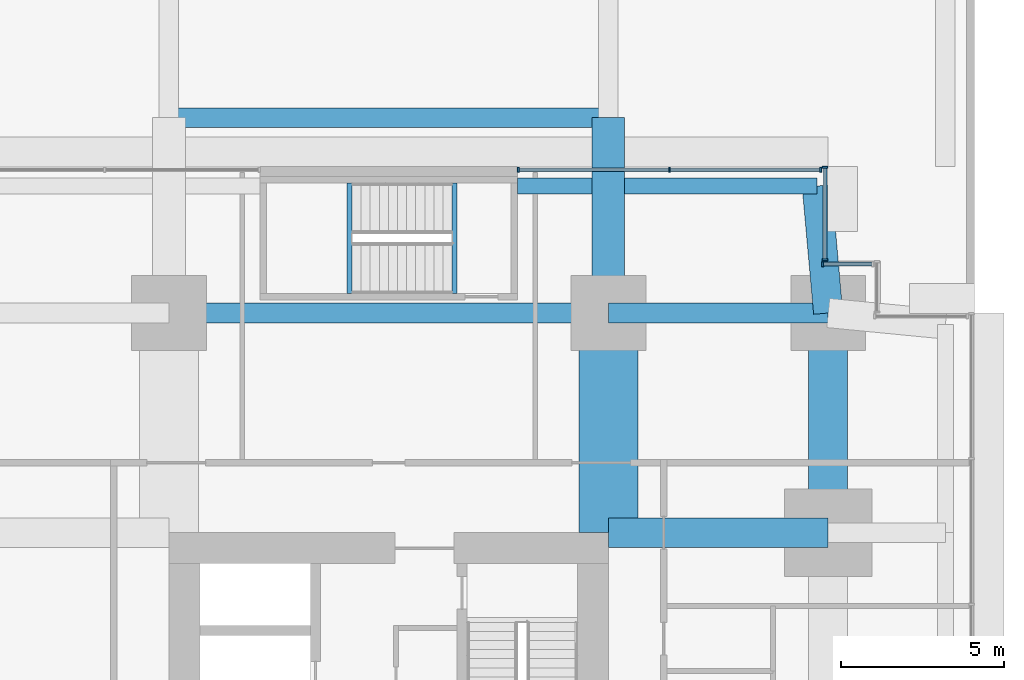
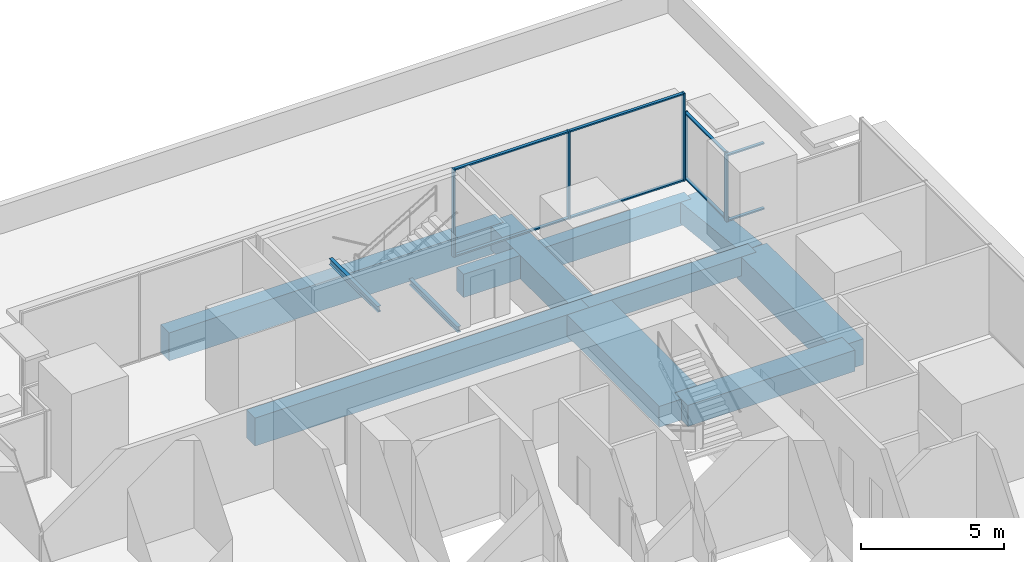
# One storey, part 18 of 34: 14 members, 12 beams, 3 elements without a shape of their own.
"""IFC4 building model written with IfcOpenShell, lengths in metres."""

import ifcopenshell
import ifcopenshell.guid

model = None  # the IFC model being written
_history = None  # IfcOwnerHistory: only IFC2X3 demands one
_inside = {}  # id of a spatial element -> (the spatial element, [elements in it])
_under = {}  # id of a project, library or spatial element -> (it, [spatial elements below it])
_declared = {}  # id of a project -> (the project, [libraries it declares])
_typed = {}  # id of a type object -> (the type object, [elements of that type])
_made_of = {}  # id of a material, layer set ... -> (it, [elements and type objects made of it])


def new_model(schema):
    """Start an empty IFC model of exactly this schema.

    Asked for "IFC4X3", IfcOpenShell would pick the latest addendum, in which some entities
    have other attributes; the version numbers below select the first issue.
    IFC2X3 requires an IfcOwnerHistory on every rooted entity: one is made here for all.
    """
    global model, _history
    if schema == "IFC4X3":
        model = ifcopenshell.file(schema_version=(4, 3, 0, 0))
    else:
        model = ifcopenshell.file(schema=schema)
    _inside.clear()
    _under.clear()
    _declared.clear()
    _typed.clear()
    _made_of.clear()
    _history = None
    if model.schema == "IFC2X3":
        org = make("IfcOrganization", Name="unknown")
        user = make(
            "IfcPersonAndOrganization",
            ThePerson=make("IfcPerson", FamilyName="unknown"),
            TheOrganization=org,
        )
        app = make(
            "IfcApplication",
            ApplicationDeveloper=org,
            Version="unknown",
            ApplicationFullName="unknown",
            ApplicationIdentifier="unknown",
        )
        _history = make(
            "IfcOwnerHistory",
            OwningUser=user,
            OwningApplication=app,
            ChangeAction="ADDED",
            CreationDate=0,
        )
    return model


def make(cls, **values):
    """One entity of the class cls with the attributes given. An attribute that is None is left unset."""
    return model.create_entity(
        cls, **{name: value for name, value in values.items() if value is not None}
    )


def rooted(cls, **values):
    """An entity with a GlobalId (a new one), such as an element, a storey or a relation."""
    return make(cls, GlobalId=ifcopenshell.guid.new(), OwnerHistory=_history, **values)


def si_unit(unit_type, name, prefix=None):
    """IfcSIUnit, for example si_unit("LENGTHUNIT", "METRE", prefix="MILLI")."""
    return make("IfcSIUnit", UnitType=unit_type, Prefix=prefix, Name=name)


def assignment(units):
    """IfcUnitAssignment: the units of a project."""
    return None if units is None else make("IfcUnitAssignment", Units=units)


def point(xyz):
    """IfcCartesianPoint."""
    return None if xyz is None else make("IfcCartesianPoint", Coordinates=xyz)


def direction(xyz):
    """IfcDirection."""
    return None if xyz is None else make("IfcDirection", DirectionRatios=xyz)


def frame(location, z_axis=None, x_axis=None):
    """IfcAxis2Placement3D, a coordinate frame: its origin and axes. An axis left out is left unset."""
    return make(
        "IfcAxis2Placement3D",
        Location=point(location),
        Axis=direction(z_axis),
        RefDirection=direction(x_axis),
    )


def frame_2d(location, x_axis=None):
    """IfcAxis2Placement2D, a coordinate frame in the plane: its origin and x axis."""
    return make(
        "IfcAxis2Placement2D", Location=point(location), RefDirection=direction(x_axis)
    )


def origin():
    """The frame at (0, 0, 0) with its axes left unset."""
    return frame((0.0, 0.0, 0.0))


def origin_2d():
    """The frame at (0, 0) in the plane with its x axis left unset."""
    return frame_2d((0.0, 0.0))


def place(relative_to, where):
    """IfcLocalPlacement: puts the frame where relative to a parent placement (None: the world)."""
    return make(
        "IfcLocalPlacement", PlacementRelTo=relative_to, RelativePlacement=where
    )


def context(
    kind, dimensions, precision=None, world=None, true_north=None, identifier=None
):
    """IfcGeometricRepresentationContext, for example the 3D "Model" context."""
    return make(
        "IfcGeometricRepresentationContext",
        ContextIdentifier=identifier,
        ContextType=kind,
        CoordinateSpaceDimension=dimensions,
        Precision=precision,
        WorldCoordinateSystem=world,
        TrueNorth=true_north,
    )


def subcontext(parent, identifier, kind, view, scale=None):
    """IfcGeometricRepresentationSubContext, for example "Body" below "Model"."""
    return make(
        "IfcGeometricRepresentationSubContext",
        ContextIdentifier=identifier,
        ContextType=kind,
        ParentContext=parent,
        TargetScale=scale,
        TargetView=view,
    )


def project(units=None, contexts=None):
    """IfcProject with its units and contexts."""
    return rooted(
        "IfcProject",
        Name="project",
        RepresentationContexts=contexts,
        UnitsInContext=assignment(units),
    )


def spatial(cls, under=None, at=None, **own):
    """A site, building, storey or space (cls), placed at a placement, below another one or the project."""
    s = rooted(cls, ObjectPlacement=at, **own)
    if under is not None:
        _under.setdefault(under.id(), (under, []))[1].append(s)
    return s


def profile(cls, at=None, kind="AREA", **sizes):
    """A parametric profile (cls). Its sizes go by their IFC names, for example OverallWidth=200.0."""
    return make(cls, ProfileType=kind, Position=at, **sizes)


def rectangle(**sizes):
    """IfcRectangleProfileDef."""
    return profile("IfcRectangleProfileDef", **sizes)


def i_section(**sizes):
    """IfcIShapeProfileDef."""
    return profile("IfcIShapeProfileDef", **sizes)


def extrude(swept, where, along, depth):
    """IfcExtrudedAreaSolid: the profile swept, set in the frame where, extruded along a direction by depth."""
    return make(
        "IfcExtrudedAreaSolid",
        SweptArea=swept,
        Position=where,
        ExtrudedDirection=direction(along),
        Depth=depth,
    )


def shape(context_of_items, identifier, shape_type, items):
    """IfcShapeRepresentation: the items that make up one representation, for example the "Body"."""
    return make(
        "IfcShapeRepresentation",
        ContextOfItems=context_of_items,
        RepresentationIdentifier=identifier,
        RepresentationType=shape_type,
        Items=items,
    )


def material(Name=None, Category=None):
    """IfcMaterial."""
    return make("IfcMaterial", Name=Name, Category=Category)


def layer(
    of_material, thickness, ventilated=None, Name=None, Category=None, Priority=None
):
    """IfcMaterialLayer: one layer of a wall or slab, of a material (None: an air gap)."""
    return make(
        "IfcMaterialLayer",
        Material=of_material,
        LayerThickness=thickness,
        IsVentilated=ventilated,
        Name=Name,
        Category=Category,
        Priority=Priority,
    )


def layer_set(layers, Name=None):
    """IfcMaterialLayerSet."""
    return make("IfcMaterialLayerSet", MaterialLayers=layers, LayerSetName=Name)


def material_profile(
    of_material, cross_section, Name=None, Category=None, Priority=None
):
    """IfcMaterialProfile: a cross section and its material."""
    return make(
        "IfcMaterialProfile",
        Name=Name,
        Material=of_material,
        Profile=cross_section,
        Priority=Priority,
        Category=Category,
    )


def profile_set(profiles, Name=None, composite=None):
    """IfcMaterialProfileSet."""
    return make(
        "IfcMaterialProfileSet",
        Name=Name,
        MaterialProfiles=profiles,
        CompositeProfile=composite,
    )


def made_of(thing, what):
    """Note that an element or type object is made of a material, layer set ...; save() writes the relation."""
    if what is not None:
        _made_of.setdefault(what.id(), (what, []))[1].append(thing)
    return thing


def type_object(cls, material=None, **own):
    """A type object (cls), such as IfcWallType, which elements share."""
    return made_of(rooted(cls, **own), material)


def element(
    cls,
    number,
    at=None,
    inside=None,
    cuts=None,
    type_object=None,
    material=None,
    context=None,
    identifier="Body",
    shape_type=None,
    held_by="IfcProductDefinitionShape",
    body=None,
    shapes=None,
    **own,
):
    """One element of the class cls, such as IfcWall. Its Tag is "e" and its number.

    at: its placement. inside: the storey or other place that contains it. cuts: it is an
    opening in that element (IfcRelVoidsElement). A single representation is given by context,
    identifier, shape_type and body (its items); several are given by shapes. held_by: the class
    of the entity that holds the representations. save() writes the other relations.
    """
    e = rooted(cls, Tag="e%d" % number, ObjectPlacement=at, **own)
    if body is not None:
        shapes = [shape(context, identifier, shape_type, body)]
    if shapes is not None:
        e.Representation = make(held_by, Representations=shapes)
    if inside is not None:
        _inside.setdefault(inside.id(), (inside, []))[1].append(e)
    if cuts is not None:
        rooted(
            "IfcRelVoidsElement", RelatingBuildingElement=cuts, RelatedOpeningElement=e
        )
    if type_object is not None:
        _typed.setdefault(type_object.id(), (type_object, []))[1].append(e)
    return made_of(e, material)


def aggregate(whole, parts):
    """IfcRelAggregates: a whole, such as a stair, and the parts it consists of."""
    return rooted("IfcRelAggregates", RelatingObject=whole, RelatedObjects=parts)


def save(model, path):
    """Write the relations noted so far, then the file.

    IfcRelAggregates (storeys below a building ...), IfcRelContainedInSpatialStructure (elements
    in a storey), IfcRelDefinesByType, IfcRelAssociatesMaterial and IfcRelDeclares: one each for
    every whole, place, type object, material and project.
    """
    for whole, parts in _under.values():
        aggregate(whole, parts)
    for where, things in _inside.values():
        rooted(
            "IfcRelContainedInSpatialStructure",
            RelatedElements=things,
            RelatingStructure=where,
        )
    for kind, things in _typed.values():
        rooted("IfcRelDefinesByType", RelatedObjects=things, RelatingType=kind)
    for what, things in _made_of.values():
        rooted("IfcRelAssociatesMaterial", RelatedObjects=things, RelatingMaterial=what)
    for by, libraries in _declared.values():
        rooted("IfcRelDeclares", RelatingContext=by, RelatedDefinitions=libraries)
    model.write(path)


model = new_model("IFC4")

# Units and contexts
model_context = context("Model", 3, precision=1e-05, world=origin(), true_north=direction((0.0, 1.0)))
body_context = subcontext(model_context, "Body", "Model", "MODEL_VIEW")
ifc_project = project(units=[si_unit("LENGTHUNIT", "METRE"), si_unit("AREAUNIT", "SQUARE_METRE"), si_unit("VOLUMEUNIT", "CUBIC_METRE"), si_unit("PLANEANGLEUNIT", "RADIAN"), si_unit("MASSUNIT", "GRAM", prefix="KILO")], contexts=[model_context])

# Site, building, storey
site_placement = place(None, origin())
site = spatial("IfcSite", under=ifc_project, at=site_placement, CompositionType="ELEMENT")
building_placement = place(site_placement, origin())
building = spatial("IfcBuilding", under=site, at=building_placement, Name="Namib Vertical Campus", CompositionType="ELEMENT")
storey_placement = place(building_placement, frame((0.0, 0.0, 21.0)))
storey = spatial("IfcBuildingStorey", under=building, at=storey_placement, Name="L04", CompositionType="ELEMENT", Elevation=21.0)

# Curtain wall, member
ifc_material_1 = material(Name="Black aluminium curtain wall", Category="aluminium")
ifc_layer = layer(ifc_material_1, 0.199951171875)
ifc_layer_set = layer_set([ifc_layer], Name="Lounge curtain wall CW-L4")
curtain_wall_type = type_object("IfcCurtainWallType", Name="Lounge curtain wall CW-L4", PredefinedType="USERDEFINED", material=ifc_layer_set)
curtain_wall_1_placement = place(storey_placement, origin())
curtain_wall_1 = element("IfcCurtainWall", 1, at=curtain_wall_1_placement, inside=storey, type_object=curtain_wall_type, Name="Curtain wall CW-L4 L04 F09-1", ObjectType="CURTAIN WALL", PredefinedType="USERDEFINED")
ifc_material_2 = material(Name="Black anodised aluminium", Category="aluminium")
ifc_material_profile_1 = material_profile(ifc_material_2, rectangle(XDim=0.06005859375, YDim=0.159912109375, at=origin_2d()))
ifc_profile_set_1 = profile_set([ifc_material_profile_1], Name="Black anodised aluminium")
member_type_1 = type_object("IfcMemberType", Name="Curtain wall mullion 60x160", PredefinedType="MULLION", material=ifc_profile_set_1)
member_1_placement = place(storey_placement, frame((94.330078125, 37.5, 0.0), z_axis=(0.0, 0.0, 1.0), x_axis=(-1.0, 0.0, 0.0)))
member_1 = element("IfcMember", 2, at=member_1_placement, type_object=member_type_1, Name="CW-L4 mullion 2", PredefinedType="MULLION", context=body_context, shape_type="SweptSolid", body=[
    extrude(rectangle(XDim=0.06005859375, YDim=0.159912109375, at=origin_2d()), origin(), (0.0, 0.0, 1.0), 2.85009765625),
])

# Curtain wall, members
curtain_wall_2_placement = place(storey_placement, origin())
curtain_wall_2 = element("IfcCurtainWall", 3, at=curtain_wall_2_placement, inside=storey, type_object=curtain_wall_type, Name="Curtain wall CW-L4 L04 F10-1", ObjectType="CURTAIN WALL", PredefinedType="USERDEFINED")
member_2_placement = place(storey_placement, frame((94.39990234375, 37.6298828125, 0.0), z_axis=(0.0, 0.0, 1.0), x_axis=(0.0, 1.0, 0.0)))
member_2 = element("IfcMember", 4, at=member_2_placement, type_object=member_type_1, Name="CW-L4 mullion 1", PredefinedType="MULLION", context=body_context, shape_type="SweptSolid", body=[
    extrude(rectangle(XDim=0.06005859375, YDim=0.159912109375, at=origin_2d()), origin(), (0.0, 0.0, 1.0), 2.85009765625),
])
member_3_placement = place(storey_placement, frame((94.39990234375, 40.469970703125, 0.0), z_axis=(0.0, 0.0, 1.0), x_axis=(0.0, 1.0, 0.0)))
member_3 = element("IfcMember", 5, at=member_3_placement, type_object=member_type_1, Name="CW-L4 mullion 2", PredefinedType="MULLION", context=body_context, shape_type="SweptSolid", body=[
    extrude(rectangle(XDim=0.06005859375, YDim=0.159912109375, at=origin_2d()), origin(), (0.0, 0.0, 1.0), 2.85009765625),
])

curtain_wall_3_placement = place(storey_placement, origin())
curtain_wall_3 = element("IfcCurtainWall", 6, at=curtain_wall_3_placement, inside=storey, type_object=curtain_wall_type, Name="Curtain wall CW-L4 L04 F11-1", ObjectType="CURTAIN WALL", PredefinedType="USERDEFINED")
member_4_placement = place(storey_placement, frame((94.27001953125, 40.39990234375, 0.0), z_axis=(0.0, 0.0, 1.0), x_axis=(-1.0, 0.0, 0.0)))
member_4 = element("IfcMember", 7, at=member_4_placement, type_object=member_type_1, Name="CW-L4 mullion 1", PredefinedType="MULLION", context=body_context, shape_type="SweptSolid", body=[
    extrude(rectangle(XDim=0.06005859375, YDim=0.159912109375, at=origin_2d()), origin(), (0.0, 0.0, 1.0), 3.75),
])
member_5_placement = place(storey_placement, frame((89.625, 40.39990234375, 0.0), z_axis=(0.0, 0.0, 1.0), x_axis=(-1.0, 0.0, 0.0)))
member_5 = element("IfcMember", 8, at=member_5_placement, type_object=member_type_1, Name="CW-L4 mullion 2", PredefinedType="MULLION", context=body_context, shape_type="SweptSolid", body=[
    extrude(rectangle(XDim=0.06005859375, YDim=0.159912109375, at=origin_2d()), origin(), (0.0, 0.0, 1.0), 3.75),
])
member_6_placement = place(storey_placement, frame((84.97998046875, 40.39990234375, 0.0), z_axis=(0.0, 0.0, 1.0), x_axis=(-1.0, 0.0, 0.0)))
member_6 = element("IfcMember", 9, at=member_6_placement, type_object=member_type_1, Name="CW-L4 mullion 3", PredefinedType="MULLION", context=body_context, shape_type="SweptSolid", body=[
    extrude(rectangle(XDim=0.06005859375, YDim=0.159912109375, at=origin_2d()), origin(), (0.0, 0.0, 1.0), 3.75),
])

# Member
ifc_material_3 = material(Name="Black anodised aluminium", Category="aluminium")
ifc_material_profile_2 = material_profile(ifc_material_3, rectangle(XDim=0.06005859375, YDim=0.1201171875, at=origin_2d()))
ifc_profile_set_2 = profile_set([ifc_material_profile_2], Name="Black anodised aluminium")
member_type_2 = type_object("IfcMemberType", Name="Curtain wall transom 60x120", PredefinedType="USERDEFINED", material=ifc_profile_set_2)
member_7_placement = place(storey_placement, frame((95.840087890625, 37.5, 0.030029296875), z_axis=(-1.0, 0.0, 0.0), x_axis=(0.0, 0.0, 1.0)))
member_7 = element("IfcMember", 10, at=member_7_placement, type_object=member_type_2, Name="CW-L4 transom 1.1", ObjectType="TRANSOM", PredefinedType="USERDEFINED", context=body_context, shape_type="SweptSolid", body=[
    extrude(rectangle(XDim=0.06005859375, YDim=0.1201171875, at=origin_2d()), origin(), (0.0, 0.0, 1.0), 1.47998046875),
])

member_8_placement = place(storey_placement, frame((95.840087890625, 37.5, 2.820068359375), z_axis=(-1.0, 0.0, 0.0), x_axis=(0.0, 0.0, 1.0)))
member_8 = element("IfcMember", 11, at=member_8_placement, type_object=member_type_2, Name="CW-L4 transom 1.2", ObjectType="TRANSOM", PredefinedType="USERDEFINED", context=body_context, shape_type="SweptSolid", body=[
    extrude(rectangle(XDim=0.06005859375, YDim=0.1201171875, at=origin_2d()), origin(), (0.0, 0.0, 1.0), 1.47998046875),
])

aggregate(curtain_wall_1, [member_1, member_7, member_8])

member_9_placement = place(storey_placement, frame((94.39990234375, 37.659912109375, 0.030029296875), z_axis=(0.0, 1.0, 0.0), x_axis=(0.0, 0.0, 1.0)))
member_9 = element("IfcMember", 12, at=member_9_placement, type_object=member_type_2, Name="CW-L4 transom 1.1", ObjectType="TRANSOM", PredefinedType="USERDEFINED", context=body_context, shape_type="SweptSolid", body=[
    extrude(rectangle(XDim=0.06005859375, YDim=0.1201171875, at=origin_2d()), origin(), (0.0, 0.0, 1.0), 2.780029296875),
])

member_10_placement = place(storey_placement, frame((94.39990234375, 37.659912109375, 2.820068359375), z_axis=(0.0, 1.0, 0.0), x_axis=(0.0, 0.0, 1.0)))
member_10 = element("IfcMember", 13, at=member_10_placement, type_object=member_type_2, Name="CW-L4 transom 1.2", ObjectType="TRANSOM", PredefinedType="USERDEFINED", context=body_context, shape_type="SweptSolid", body=[
    extrude(rectangle(XDim=0.06005859375, YDim=0.1201171875, at=origin_2d()), origin(), (0.0, 0.0, 1.0), 2.780029296875),
])

aggregate(curtain_wall_2, [member_2, member_3, member_9, member_10])

member_11_placement = place(storey_placement, frame((94.239990234375, 40.39990234375, 0.030029296875), z_axis=(-1.0, 0.0, 0.0), x_axis=(0.0, 0.0, 1.0)))
member_11 = element("IfcMember", 14, at=member_11_placement, type_object=member_type_2, Name="CW-L4 transom 1.1", ObjectType="TRANSOM", PredefinedType="USERDEFINED", context=body_context, shape_type="SweptSolid", body=[
    extrude(rectangle(XDim=0.06005859375, YDim=0.1201171875, at=origin_2d()), origin(), (0.0, 0.0, 1.0), 4.5849609375),
])

member_12_placement = place(storey_placement, frame((94.239990234375, 40.39990234375, 3.719970703125), z_axis=(-1.0, 0.0, 0.0), x_axis=(0.0, 0.0, 1.0)))
member_12 = element("IfcMember", 15, at=member_12_placement, type_object=member_type_2, Name="CW-L4 transom 1.2", ObjectType="TRANSOM", PredefinedType="USERDEFINED", context=body_context, shape_type="SweptSolid", body=[
    extrude(rectangle(XDim=0.06005859375, YDim=0.1201171875, at=origin_2d()), origin(), (0.0, 0.0, 1.0), 4.5849609375),
])

member_13_placement = place(storey_placement, frame((89.594970703125, 40.39990234375, 0.030029296875), z_axis=(-1.0, 0.0, 0.0), x_axis=(0.0, 0.0, 1.0)))
member_13 = element("IfcMember", 16, at=member_13_placement, type_object=member_type_2, Name="CW-L4 transom 2.1", ObjectType="TRANSOM", PredefinedType="USERDEFINED", context=body_context, shape_type="SweptSolid", body=[
    extrude(rectangle(XDim=0.06005859375, YDim=0.1201171875, at=origin_2d()), origin(), (0.0, 0.0, 1.0), 4.5849609375),
])

member_14_placement = place(storey_placement, frame((89.594970703125, 40.39990234375, 3.719970703125), z_axis=(-1.0, 0.0, 0.0), x_axis=(0.0, 0.0, 1.0)))
member_14 = element("IfcMember", 17, at=member_14_placement, type_object=member_type_2, Name="CW-L4 transom 2.2", ObjectType="TRANSOM", PredefinedType="USERDEFINED", context=body_context, shape_type="SweptSolid", body=[
    extrude(rectangle(XDim=0.06005859375, YDim=0.1201171875, at=origin_2d()), origin(), (0.0, 0.0, 1.0), 4.5849609375),
])

aggregate(curtain_wall_3, [member_4, member_5, member_6, member_11, member_12, member_13, member_14])

# Beams
ifc_material_4 = material(Name="Concrete C40/50", Category="concrete")
ifc_material_profile_3 = material_profile(ifc_material_4, rectangle(XDim=0.89990234375, YDim=0.89990234375, at=origin_2d()))
ifc_profile_set_3 = profile_set([ifc_material_profile_3], Name="Concrete C40/50")
beam_type_1 = type_object("IfcBeamType", Name="Face girder RC 900x900", PredefinedType="BEAM", material=ifc_profile_set_3)
beam_1_placement = place(storey_placement, frame((94.5, 29.25, -0.75), z_axis=(-1.0, 0.0, 0.0), x_axis=(0.0, -1.0, 0.0)))
element("IfcBeam", 18, at=beam_1_placement, inside=storey, type_object=beam_type_1, Name="Beam B10 L04", PredefinedType="BEAM", context=body_context, shape_type="SweptSolid", body=[
    extrude(rectangle(XDim=0.89990234375, YDim=0.89990234375, at=origin_2d()), origin(), (0.0, 0.0, 1.0), 6.75),
])
ifc_material_5 = material(Name="Concrete C40/50", Category="concrete")
ifc_material_profile_4 = material_profile(ifc_material_5, rectangle(XDim=1.199951171875, YDim=1.10009765625, at=origin_2d()))
ifc_profile_set_4 = profile_set([ifc_material_profile_4], Name="Concrete C40/50")
beam_type_2 = type_object("IfcBeamType", Name="Face ring beam RC 1200x1100", PredefinedType="BEAM", material=ifc_profile_set_4)
beam_2_placement = place(storey_placement, frame((94.5, 29.25, -0.85009765625), z_axis=(0.0, 1.0, 0.0), x_axis=(-1.0, 0.0, 0.0)))
element("IfcBeam", 19, at=beam_2_placement, inside=storey, type_object=beam_type_2, Name="Beam B11 L04", PredefinedType="BEAM", context=body_context, shape_type="SweptSolid", body=[
    extrude(rectangle(XDim=1.199951171875, YDim=1.10009765625, at=origin_2d()), origin(), (0.0, 0.0, 1.0), 6.75),
])
ifc_material_6 = material(Name="Steel S355JR", Category="steel")
ifc_material_profile_5 = material_profile(ifc_material_6, i_section(OverallWidth=0.14599609375, OverallDepth=0.25146484375, WebThickness=0.006103515625, FlangeThickness=0.008544921875, FilletRadius=0.007568359375, at=origin_2d()))
ifc_profile_set_5 = profile_set([ifc_material_profile_5], Name="Steel S355JR")
beam_type_3 = type_object("IfcBeamType", Name="Landing trimmer UB 254x146x31", PredefinedType="BEAM", material=ifc_profile_set_5)
for number, where, z_axis, x_axis, name in (
    (20, (83.02294921875, 36.60009765625, -0.125732421875), (0.0, 1.0, 0.0), (-1.0, 0.0, 0.0), "Landing trimmer LT1 B-S3 L04 1"),
    (21, (79.796875, 36.60009765625, 1.874267578125), (0.0, 1.0, 0.0), (-1.0, 0.0, 0.0), "Landing trimmer LT1 B-S3 L04 2"),
):
    element("IfcBeam", number, at=place(storey_placement, frame(where, z_axis=z_axis, x_axis=x_axis)), inside=storey, type_object=beam_type_3, Name=name, PredefinedType="BEAM", context=body_context, shape_type="SweptSolid", body=[
        extrude(i_section(OverallWidth=0.14599609375, OverallDepth=0.25146484375, WebThickness=0.006103515625, FlangeThickness=0.008544921875, FilletRadius=0.007568359375, at=origin_2d()), origin(), (0.0, 0.0, 1.0), 3.39990234375),
    ])
ifc_material_7 = material(Name="Concrete C40/50", Category="concrete")
ifc_material_profile_6 = material_profile(ifc_material_7, rectangle(XDim=0.60009765625, YDim=1.199951171875, at=origin_2d()))
ifc_profile_set_6 = profile_set([ifc_material_profile_6], Name="Concrete C40/50")
beam_type_4 = type_object("IfcBeamType", Name="Long-span podium beam RC 600x1200", PredefinedType="BEAM", material=ifc_profile_set_6)
beam_3_placement = place(storey_placement, frame((74.25, 42.0, -0.89990234375), z_axis=(1.0, 0.0, 0.0), x_axis=(0.0, 1.0, 0.0)))
element("IfcBeam", 22, at=beam_3_placement, inside=storey, type_object=beam_type_4, Name="Beam PB4 L04", PredefinedType="BEAM", context=body_context, shape_type="SweptSolid", body=[
    extrude(rectangle(XDim=0.60009765625, YDim=1.199951171875, at=origin_2d()), origin(), (0.0, 0.0, 1.0), 13.5),
])
ifc_material_8 = material(Name="Concrete C40/50", Category="concrete")
ifc_material_profile_7 = material_profile(ifc_material_8, rectangle(XDim=0.60009765625, YDim=1.199951171875, at=origin_2d()))
ifc_profile_set_7 = profile_set([ifc_material_profile_7], Name="Concrete C40/50")
beam_type_5 = type_object("IfcBeamType", Name="Long-span ring beam RC 600x1200", PredefinedType="BEAM", material=ifc_profile_set_7)
beam_4_placement = place(storey_placement, frame((74.25, 36.0, -0.89990234375), z_axis=(1.0, 0.0, 0.0), x_axis=(0.0, 1.0, 0.0)))
element("IfcBeam", 23, at=beam_4_placement, inside=storey, type_object=beam_type_5, Name="Beam B9 L04", PredefinedType="BEAM", context=body_context, shape_type="SweptSolid", body=[
    extrude(rectangle(XDim=0.60009765625, YDim=1.199951171875, at=origin_2d()), origin(), (0.0, 0.0, 1.0), 13.5),
])
ifc_material_9 = material(Name="Concrete C40/50", Category="concrete")
ifc_material_profile_8 = material_profile(ifc_material_9, rectangle(XDim=1.800048828125, YDim=0.89990234375, at=origin_2d()))
ifc_profile_set_8 = profile_set([ifc_material_profile_8], Name="Concrete C40/50")
beam_type_6 = type_object("IfcBeamType", Name="Outrigger line girder RC 1800x900", PredefinedType="BEAM", material=ifc_profile_set_8)
beam_5_placement = place(storey_placement, frame((87.75, 36.0, -0.75), z_axis=(0.0, -1.0, 0.0), x_axis=(1.0, 0.0, 0.0)))
element("IfcBeam", 24, at=beam_5_placement, inside=storey, type_object=beam_type_6, Name="Beam B12 L04", PredefinedType="BEAM", context=body_context, shape_type="SweptSolid", body=[
    extrude(rectangle(XDim=1.800048828125, YDim=0.89990234375, at=origin_2d()), origin(), (0.0, 0.0, 1.0), 6.75),
])
ifc_material_10 = material(Name="Concrete C40/50", Category="concrete")
ifc_material_profile_9 = material_profile(ifc_material_10, rectangle(XDim=0.89990234375, YDim=0.89990234375, at=origin_2d()))
ifc_profile_set_9 = profile_set([ifc_material_profile_9], Name="Concrete C40/50")
beam_type_7 = type_object("IfcBeamType", Name="Podium roof corner cantilever RC 900x900", PredefinedType="BEAM", material=ifc_profile_set_9)
beam_6_placement = place(storey_placement, frame((94.5, 36.0, -0.75), z_axis=(-0.089411326146, 0.995994786511, 0.0), x_axis=(-0.995994786511, -0.089411326146, 0.0)))
element("IfcBeam", 25, at=beam_6_placement, inside=storey, type_object=beam_type_7, Name="Beam B13 L04", PredefinedType="BEAM", context=body_context, shape_type="SweptSolid", body=[
    extrude(rectangle(XDim=0.89990234375, YDim=0.89990234375, at=origin_2d()), origin(), (0.0, 0.0, 1.0), 3.91552734375),
])
ifc_material_11 = material(Name="Concrete C40/50", Category="concrete")
ifc_material_profile_10 = material_profile(ifc_material_11, rectangle(XDim=0.5, YDim=1.0, at=origin_2d()))
ifc_profile_set_10 = profile_set([ifc_material_profile_10], Name="Concrete C40/50")
beam_type_8 = type_object("IfcBeamType", Name="Podium roof edge beam RC 500x1000", PredefinedType="SPANDREL", material=ifc_profile_set_10)
beam_7_placement = place(storey_placement, frame((84.949951171875, 39.89990234375, -0.800048828125), z_axis=(1.0, 0.0, 0.0), x_axis=(0.0, 1.0, 0.0)))
element("IfcBeam", 26, at=beam_7_placement, inside=storey, type_object=beam_type_8, Name="Beam B8 L04", PredefinedType="SPANDREL", context=body_context, shape_type="SweptSolid", body=[
    extrude(rectangle(XDim=0.5, YDim=1.0, at=origin_2d()), origin(), (0.0, 0.0, 1.0), 2.300048828125),
])
beam_8_placement = place(storey_placement, frame((88.25, 39.89990234375, -0.800048828125), z_axis=(1.0, 0.0, 0.0), x_axis=(0.0, 1.0, 0.0)))
element("IfcBeam", 27, at=beam_8_placement, inside=storey, type_object=beam_type_8, Name="Beam B8 L04", PredefinedType="SPANDREL", context=body_context, shape_type="SweptSolid", body=[
    extrude(rectangle(XDim=0.5, YDim=1.0, at=origin_2d()), origin(), (0.0, 0.0, 1.0), 5.89990234375),
])
ifc_material_12 = material(Name="Concrete C40/50", Category="concrete")
ifc_material_profile_11 = material_profile(ifc_material_12, rectangle(XDim=1.0, YDim=1.0, at=origin_2d()))
ifc_profile_set_11 = profile_set([ifc_material_profile_11], Name="Concrete C40/50")
beam_type_9 = type_object("IfcBeamType", Name="Podium tie beam RC 1000x1000", PredefinedType="BEAM", material=ifc_profile_set_11)
beam_9_placement = place(storey_placement, frame((87.75, 36.0, -0.800048828125), z_axis=(0.0, 1.0, 0.0), x_axis=(-1.0, 0.0, 0.0)))
element("IfcBeam", 28, at=beam_9_placement, inside=storey, type_object=beam_type_9, Name="Beam PB3 L04", PredefinedType="BEAM", context=body_context, shape_type="SweptSolid", body=[
    extrude(rectangle(XDim=1.0, YDim=1.0, at=origin_2d()), origin(), (0.0, 0.0, 1.0), 6.0),
])
ifc_material_13 = material(Name="Concrete C40/50", Category="concrete")
ifc_material_profile_12 = material_profile(ifc_material_13, rectangle(XDim=0.60009765625, YDim=0.800048828125, at=origin_2d()))
ifc_profile_set_12 = profile_set([ifc_material_profile_12], Name="Concrete C40/50")
beam_type_10 = type_object("IfcBeamType", Name="Ring beam RC 600x800", PredefinedType="BEAM", material=ifc_profile_set_12)
beam_10_placement = place(storey_placement, frame((87.75, 36.0, -0.699951171875), z_axis=(1.0, 0.0, 0.0), x_axis=(0.0, 1.0, 0.0)))
element("IfcBeam", 29, at=beam_10_placement, inside=storey, type_object=beam_type_10, Name="Beam B1 L04", PredefinedType="BEAM", context=body_context, shape_type="SweptSolid", body=[
    extrude(rectangle(XDim=0.60009765625, YDim=0.800048828125, at=origin_2d()), origin(), (0.0, 0.0, 1.0), 6.75),
])

save(model, "model.ifc")
